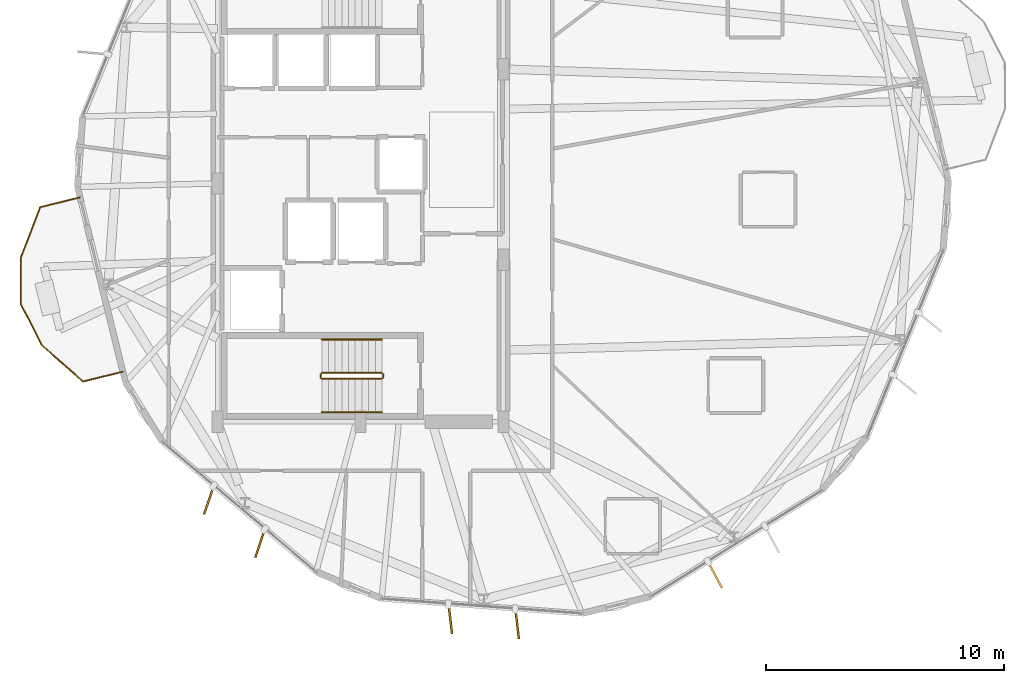
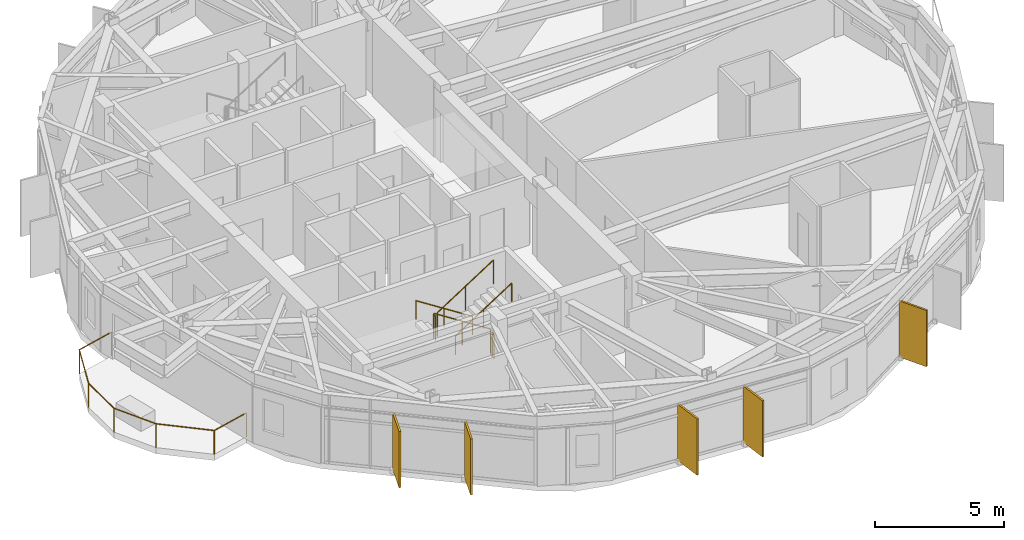
# One storey, part 18 of 21: 7 railings, 5 shading devices.
"""IFC4 building model written with IfcOpenShell, lengths in metres."""

import ifcopenshell
import ifcopenshell.guid

model = None  # the IFC model being written
_history = None  # IfcOwnerHistory: only IFC2X3 demands one
_inside = {}  # id of a spatial element -> (the spatial element, [elements in it])
_under = {}  # id of a project, library or spatial element -> (it, [spatial elements below it])
_declared = {}  # id of a project -> (the project, [libraries it declares])
_typed = {}  # id of a type object -> (the type object, [elements of that type])
_made_of = {}  # id of a material, layer set ... -> (it, [elements and type objects made of it])


def new_model(schema):
    """Start an empty IFC model of exactly this schema.

    Asked for "IFC4X3", IfcOpenShell would pick the latest addendum, in which some entities
    have other attributes; the version numbers below select the first issue.
    IFC2X3 requires an IfcOwnerHistory on every rooted entity: one is made here for all.
    """
    global model, _history
    if schema == "IFC4X3":
        model = ifcopenshell.file(schema_version=(4, 3, 0, 0))
    else:
        model = ifcopenshell.file(schema=schema)
    _inside.clear()
    _under.clear()
    _declared.clear()
    _typed.clear()
    _made_of.clear()
    _history = None
    if model.schema == "IFC2X3":
        org = make("IfcOrganization", Name="unknown")
        user = make(
            "IfcPersonAndOrganization",
            ThePerson=make("IfcPerson", FamilyName="unknown"),
            TheOrganization=org,
        )
        app = make(
            "IfcApplication",
            ApplicationDeveloper=org,
            Version="unknown",
            ApplicationFullName="unknown",
            ApplicationIdentifier="unknown",
        )
        _history = make(
            "IfcOwnerHistory",
            OwningUser=user,
            OwningApplication=app,
            ChangeAction="ADDED",
            CreationDate=0,
        )
    return model


def make(cls, **values):
    """One entity of the class cls with the attributes given. An attribute that is None is left unset."""
    return model.create_entity(
        cls, **{name: value for name, value in values.items() if value is not None}
    )


def rooted(cls, **values):
    """An entity with a GlobalId (a new one), such as an element, a storey or a relation."""
    return make(cls, GlobalId=ifcopenshell.guid.new(), OwnerHistory=_history, **values)


def si_unit(unit_type, name, prefix=None):
    """IfcSIUnit, for example si_unit("LENGTHUNIT", "METRE", prefix="MILLI")."""
    return make("IfcSIUnit", UnitType=unit_type, Prefix=prefix, Name=name)


def assignment(units):
    """IfcUnitAssignment: the units of a project."""
    return None if units is None else make("IfcUnitAssignment", Units=units)


def point(xyz):
    """IfcCartesianPoint."""
    return None if xyz is None else make("IfcCartesianPoint", Coordinates=xyz)


def direction(xyz):
    """IfcDirection."""
    return None if xyz is None else make("IfcDirection", DirectionRatios=xyz)


def frame(location, z_axis=None, x_axis=None):
    """IfcAxis2Placement3D, a coordinate frame: its origin and axes. An axis left out is left unset."""
    return make(
        "IfcAxis2Placement3D",
        Location=point(location),
        Axis=direction(z_axis),
        RefDirection=direction(x_axis),
    )


def frame_2d(location, x_axis=None):
    """IfcAxis2Placement2D, a coordinate frame in the plane: its origin and x axis."""
    return make(
        "IfcAxis2Placement2D", Location=point(location), RefDirection=direction(x_axis)
    )


def origin():
    """The frame at (0, 0, 0) with its axes left unset."""
    return frame((0.0, 0.0, 0.0))


def origin_2d():
    """The frame at (0, 0) in the plane with its x axis left unset."""
    return frame_2d((0.0, 0.0))


def place(relative_to, where):
    """IfcLocalPlacement: puts the frame where relative to a parent placement (None: the world)."""
    return make(
        "IfcLocalPlacement", PlacementRelTo=relative_to, RelativePlacement=where
    )


def context(
    kind, dimensions, precision=None, world=None, true_north=None, identifier=None
):
    """IfcGeometricRepresentationContext, for example the 3D "Model" context."""
    return make(
        "IfcGeometricRepresentationContext",
        ContextIdentifier=identifier,
        ContextType=kind,
        CoordinateSpaceDimension=dimensions,
        Precision=precision,
        WorldCoordinateSystem=world,
        TrueNorth=true_north,
    )


def subcontext(parent, identifier, kind, view, scale=None):
    """IfcGeometricRepresentationSubContext, for example "Body" below "Model"."""
    return make(
        "IfcGeometricRepresentationSubContext",
        ContextIdentifier=identifier,
        ContextType=kind,
        ParentContext=parent,
        TargetScale=scale,
        TargetView=view,
    )


def project(units=None, contexts=None):
    """IfcProject with its units and contexts."""
    return rooted(
        "IfcProject",
        Name="project",
        RepresentationContexts=contexts,
        UnitsInContext=assignment(units),
    )


def spatial(cls, under=None, at=None, **own):
    """A site, building, storey or space (cls), placed at a placement, below another one or the project."""
    s = rooted(cls, ObjectPlacement=at, **own)
    if under is not None:
        _under.setdefault(under.id(), (under, []))[1].append(s)
    return s


def profile(cls, at=None, kind="AREA", **sizes):
    """A parametric profile (cls). Its sizes go by their IFC names, for example OverallWidth=200.0."""
    return make(cls, ProfileType=kind, Position=at, **sizes)


def rectangle(**sizes):
    """IfcRectangleProfileDef."""
    return profile("IfcRectangleProfileDef", **sizes)


def circle(**sizes):
    """IfcCircleProfileDef."""
    return profile("IfcCircleProfileDef", **sizes)


def extrude(swept, where, along, depth):
    """IfcExtrudedAreaSolid: the profile swept, set in the frame where, extruded along a direction by depth."""
    return make(
        "IfcExtrudedAreaSolid",
        SweptArea=swept,
        Position=where,
        ExtrudedDirection=direction(along),
        Depth=depth,
    )


def shape(context_of_items, identifier, shape_type, items):
    """IfcShapeRepresentation: the items that make up one representation, for example the "Body"."""
    return make(
        "IfcShapeRepresentation",
        ContextOfItems=context_of_items,
        RepresentationIdentifier=identifier,
        RepresentationType=shape_type,
        Items=items,
    )


def material(Name=None, Category=None):
    """IfcMaterial."""
    return make("IfcMaterial", Name=Name, Category=Category)


def layer(
    of_material, thickness, ventilated=None, Name=None, Category=None, Priority=None
):
    """IfcMaterialLayer: one layer of a wall or slab, of a material (None: an air gap)."""
    return make(
        "IfcMaterialLayer",
        Material=of_material,
        LayerThickness=thickness,
        IsVentilated=ventilated,
        Name=Name,
        Category=Category,
        Priority=Priority,
    )


def layer_set(layers, Name=None):
    """IfcMaterialLayerSet."""
    return make("IfcMaterialLayerSet", MaterialLayers=layers, LayerSetName=Name)


def made_of(thing, what):
    """Note that an element or type object is made of a material, layer set ...; save() writes the relation."""
    if what is not None:
        _made_of.setdefault(what.id(), (what, []))[1].append(thing)
    return thing


def type_object(cls, material=None, **own):
    """A type object (cls), such as IfcWallType, which elements share."""
    return made_of(rooted(cls, **own), material)


def element(
    cls,
    number,
    at=None,
    inside=None,
    cuts=None,
    type_object=None,
    material=None,
    context=None,
    identifier="Body",
    shape_type=None,
    held_by="IfcProductDefinitionShape",
    body=None,
    shapes=None,
    **own,
):
    """One element of the class cls, such as IfcWall. Its Tag is "e" and its number.

    at: its placement. inside: the storey or other place that contains it. cuts: it is an
    opening in that element (IfcRelVoidsElement). A single representation is given by context,
    identifier, shape_type and body (its items); several are given by shapes. held_by: the class
    of the entity that holds the representations. save() writes the other relations.
    """
    e = rooted(cls, Tag="e%d" % number, ObjectPlacement=at, **own)
    if body is not None:
        shapes = [shape(context, identifier, shape_type, body)]
    if shapes is not None:
        e.Representation = make(held_by, Representations=shapes)
    if inside is not None:
        _inside.setdefault(inside.id(), (inside, []))[1].append(e)
    if cuts is not None:
        rooted(
            "IfcRelVoidsElement", RelatingBuildingElement=cuts, RelatedOpeningElement=e
        )
    if type_object is not None:
        _typed.setdefault(type_object.id(), (type_object, []))[1].append(e)
    return made_of(e, material)


def aggregate(whole, parts):
    """IfcRelAggregates: a whole, such as a stair, and the parts it consists of."""
    return rooted("IfcRelAggregates", RelatingObject=whole, RelatedObjects=parts)


def save(model, path):
    """Write the relations noted so far, then the file.

    IfcRelAggregates (storeys below a building ...), IfcRelContainedInSpatialStructure (elements
    in a storey), IfcRelDefinesByType, IfcRelAssociatesMaterial and IfcRelDeclares: one each for
    every whole, place, type object, material and project.
    """
    for whole, parts in _under.values():
        aggregate(whole, parts)
    for where, things in _inside.values():
        rooted(
            "IfcRelContainedInSpatialStructure",
            RelatedElements=things,
            RelatingStructure=where,
        )
    for kind, things in _typed.values():
        rooted("IfcRelDefinesByType", RelatedObjects=things, RelatingType=kind)
    for what, things in _made_of.values():
        rooted("IfcRelAssociatesMaterial", RelatedObjects=things, RelatingMaterial=what)
    for by, libraries in _declared.values():
        rooted("IfcRelDeclares", RelatingContext=by, RelatedDefinitions=libraries)
    model.write(path)


model = new_model("IFC4")

# Units and contexts
model_context = context("Model", 3, precision=1e-05, world=origin(), true_north=direction((0.0, 1.0)))
body_context = subcontext(model_context, "Body", "Model", "MODEL_VIEW")
ifc_project = project(units=[si_unit("LENGTHUNIT", "METRE"), si_unit("AREAUNIT", "SQUARE_METRE"), si_unit("VOLUMEUNIT", "CUBIC_METRE"), si_unit("PLANEANGLEUNIT", "RADIAN"), si_unit("MASSUNIT", "GRAM", prefix="KILO")], contexts=[model_context])

# Site, building, storey
site_placement = place(None, origin())
site = spatial("IfcSite", under=ifc_project, at=site_placement, CompositionType="ELEMENT")
building_placement = place(site_placement, origin())
building = spatial("IfcBuilding", under=site, at=building_placement, Name="Soratama Intermodal Tower", CompositionType="ELEMENT")
storey_placement = place(building_placement, frame((0.0, 0.0, 153.39990234375)))
storey = spatial("IfcBuildingStorey", under=building, at=storey_placement, Name="L37", CompositionType="ELEMENT", Elevation=153.39990234375)

# Railings
ifc_material_1 = material(Name="Laminated glass and stainless steel balustrade", Category="steel")
railing_type_1 = type_object("IfcRailingType", Name="RL-BAL-1150", PredefinedType="BALUSTRADE", material=ifc_material_1)
railing_1_placement = place(storey_placement, frame((28.62451171875, 17.095458984375, 0.0)))
element("IfcRailing", 1, at=railing_1_placement, inside=storey, type_object=railing_type_1, Name="L37 Balcony Balustrade 3", PredefinedType="BALUSTRADE", context=body_context, shape_type="SweptSolid", body=[
    extrude(circle(Radius=0.02392578125, at=origin_2d()), frame((0.0, 0.0, 1.1259765625), z_axis=(-0.971152571108, -0.238458976829, 0.0), x_axis=(0.238458976829, -0.971152571108, 0.0)), (0.0, 0.0, 1.0), 1.719970703125),
    extrude(circle(Radius=0.02392578125, at=origin_2d()), frame((-1.67041015625, -0.41015625, 1.1259765625), z_axis=(-0.75035271629, 0.661037669998, 0.0), x_axis=(-0.661037669998, -0.75035271629, 0.0)), (0.0, 0.0, 1.0), 2.296142578125),
    extrude(circle(Radius=0.02392578125, at=origin_2d()), frame((-3.393310546875, 1.107666015625, 1.1259765625), z_axis=(-0.457063329661, 0.889434153088, 0.0), x_axis=(-0.889434153088, -0.457063329661, 0.0)), (0.0, 0.0, 1.0), 1.93798828125),
    extrude(circle(Radius=0.02392578125, at=origin_2d()), frame((-4.279052734375, 2.831298828125, 1.1259765625), z_axis=(-0.007055386945, 0.999975110448, 0.0), x_axis=(-0.999975110448, -0.007055386945, 0.0)), (0.0, 0.0, 1.0), 1.937744140625),
    extrude(circle(Radius=0.02392578125, at=origin_2d()), frame((-4.292724609375, 4.76904296875, 1.1259765625), z_axis=(0.3586512975, 0.933471610067, 0.0), x_axis=(-0.933471610067, 0.3586512975, 0.0)), (0.0, 0.0, 1.0), 2.296142578125),
    extrude(circle(Radius=0.02392578125, at=origin_2d()), frame((-3.46923828125, 6.912353515625, 1.1259765625), z_axis=(0.971119692554, 0.238592838817, 0.0), x_axis=(-0.238592838817, 0.971119692554, 0.0)), (0.0, 0.0, 1.0), 1.719970703125),
    extrude(circle(Radius=0.02099609375, at=origin_2d()), origin(), (0.0, 0.0, 1.0), 1.101806640625),
    extrude(circle(Radius=0.02099609375, at=origin_2d()), frame((-1.67041015625, -0.41015625, 0.0)), (0.0, 0.0, 1.0), 1.101806640625),
    extrude(circle(Radius=0.02099609375, at=origin_2d()), frame((-3.393310546875, 1.107666015625, 0.0)), (0.0, 0.0, 1.0), 1.101806640625),
    extrude(circle(Radius=0.02099609375, at=origin_2d()), frame((-4.279052734375, 2.831298828125, 0.0)), (0.0, 0.0, 1.0), 1.101806640625),
    extrude(circle(Radius=0.02099609375, at=origin_2d()), frame((-4.292724609375, 4.76904296875, 0.0)), (0.0, 0.0, 1.0), 1.101806640625),
    extrude(circle(Radius=0.02099609375, at=origin_2d()), frame((-3.46923828125, 6.912353515625, 0.0)), (0.0, 0.0, 1.0), 1.101806640625),
    extrude(circle(Radius=0.02099609375, at=origin_2d()), frame((-1.798828125, 7.32275390625, 0.0)), (0.0, 0.0, 1.0), 1.101806640625),
])
ifc_material_2 = material(Name="Painted steel stair guardrail", Category="steel")
railing_type_2 = type_object("IfcRailingType", Name="RL-STAIR-GUARD", PredefinedType="GUARDRAIL", material=ifc_material_2)
railing_2_placement = place(storey_placement, frame((39.5, 17.050048828125, 0.18017578125)))
element("IfcRailing", 2, at=railing_2_placement, inside=storey, type_object=railing_type_2, Name="L37 ST-1 stair guard 1", PredefinedType="GUARDRAIL", context=body_context, shape_type="SweptSolid", body=[
    extrude(circle(Radius=0.02392578125, at=origin_2d()), frame((0.0, 0.0, 1.1259765625), z_axis=(-0.841199657755, 0.0, 0.540724639528), x_axis=(0.0, -1.0, 0.0)), (0.0, 0.0, 1.0), 2.995849609375),
    extrude(circle(Radius=0.02099609375, at=origin_2d()), origin(), (0.0, 0.0, 1.0), 1.101806640625),
    extrude(circle(Radius=0.02099609375, at=origin_2d()), frame((-1.260009765625, 0.0, 0.81005859375)), (0.0, 0.0, 1.0), 1.101806640625),
    extrude(circle(Radius=0.02099609375, at=origin_2d()), frame((-2.52001953125, 0.0, 1.619873046875)), (0.0, 0.0, 1.0), 1.101806640625),
])
railing_3_placement = place(storey_placement, frame((36.929931640625, 17.0, 1.800048828125)))
element("IfcRailing", 3, at=railing_3_placement, inside=storey, type_object=railing_type_2, Name="L37 ST-1 stair guard 2", PredefinedType="GUARDRAIL", context=body_context, shape_type="SweptSolid", body=[
    extrude(circle(Radius=0.02392578125, at=origin_2d()), frame((0.0, 0.0, 1.1259765625), z_axis=(0.0, -1.0, 0.0), x_axis=(1.0, 0.0, 0.0)), (0.0, 0.0, 1.0), 0.14990234375),
    extrude(circle(Radius=0.02099609375, at=origin_2d()), origin(), (0.0, 0.0, 1.0), 1.101806640625),
    extrude(circle(Radius=0.02099609375, at=origin_2d()), frame((0.0, -0.14990234375, 0.0)), (0.0, 0.0, 1.0), 1.101806640625),
])
railing_4_placement = place(storey_placement, frame((36.97998046875, 16.800048828125, 1.97998046875)))
element("IfcRailing", 4, at=railing_4_placement, inside=storey, type_object=railing_type_2, Name="L37 ST-1 stair guard 3", PredefinedType="GUARDRAIL", context=body_context, shape_type="SweptSolid", body=[
    extrude(circle(Radius=0.02392578125, at=origin_2d()), frame((0.0, 0.0, 1.1259765625), z_axis=(0.841162588446, 0.0, 0.540782303519), x_axis=(0.0, 1.0, 0.0)), (0.0, 0.0, 1.0), 2.995849609375),
    extrude(circle(Radius=0.02099609375, at=origin_2d()), origin(), (0.0, 0.0, 1.0), 1.101806640625),
    extrude(circle(Radius=0.02099609375, at=origin_2d()), frame((1.260009765625, 0.0, 0.81005859375)), (0.0, 0.0, 1.0), 1.101806640625),
    extrude(circle(Radius=0.02099609375, at=origin_2d()), frame((2.52001953125, 0.0, 1.6201171875)), (0.0, 0.0, 1.0), 1.101806640625),
])
railing_5_placement = place(storey_placement, frame((39.550048828125, 17.0, 0.0)))
element("IfcRailing", 5, at=railing_5_placement, inside=storey, type_object=railing_type_2, Name="L37 ST-1 stair guard 4", PredefinedType="GUARDRAIL", context=body_context, shape_type="SweptSolid", body=[
    extrude(circle(Radius=0.02392578125, at=origin_2d()), frame((0.0, 0.0, 1.1259765625), z_axis=(0.0, -1.0, 0.0), x_axis=(1.0, 0.0, 0.0)), (0.0, 0.0, 1.0), 0.14990234375),
    extrude(circle(Radius=0.02099609375, at=origin_2d()), origin(), (0.0, 0.0, 1.0), 1.101806640625),
    extrude(circle(Radius=0.02099609375, at=origin_2d()), frame((0.0, -0.14990234375, 0.0)), (0.0, 0.0, 1.0), 1.101806640625),
])
ifc_material_3 = material(Name="Brushed stainless steel handrail", Category="steel")
railing_type_3 = type_object("IfcRailingType", Name="RL-STAIR-HAND", PredefinedType="HANDRAIL", material=ifc_material_3)
railing_6_placement = place(storey_placement, frame((39.5, 18.449951171875, 0.18017578125)))
element("IfcRailing", 6, at=railing_6_placement, inside=storey, type_object=railing_type_3, Name="L37 ST-1 stair handrail 1", PredefinedType="HANDRAIL", context=body_context, shape_type="SweptSolid", body=[
    extrude(circle(Radius=0.02392578125, at=origin_2d()), frame((0.0, 0.0, 0.8759765625), z_axis=(-0.841199657755, 0.0, 0.540724639528), x_axis=(0.0, -1.0, 0.0)), (0.0, 0.0, 1.0), 2.995849609375),
    extrude(circle(Radius=0.02099609375, at=origin_2d()), origin(), (0.0, 0.0, 1.0), 0.851806640625),
    extrude(circle(Radius=0.02099609375, at=origin_2d()), frame((-1.260009765625, 0.0, 0.81005859375)), (0.0, 0.0, 1.0), 0.851806640625),
    extrude(circle(Radius=0.02099609375, at=origin_2d()), frame((-2.52001953125, 0.0, 1.619873046875)), (0.0, 0.0, 1.0), 0.851806640625),
])
railing_7_placement = place(storey_placement, frame((36.97998046875, 15.39990234375, 1.97998046875)))
element("IfcRailing", 7, at=railing_7_placement, inside=storey, type_object=railing_type_3, Name="L37 ST-1 stair handrail 2", PredefinedType="HANDRAIL", context=body_context, shape_type="SweptSolid", body=[
    extrude(circle(Radius=0.02392578125, at=origin_2d()), frame((0.0, 0.0, 0.8759765625), z_axis=(0.841162588446, 0.0, 0.540782303519), x_axis=(0.0, 1.0, 0.0)), (0.0, 0.0, 1.0), 2.995849609375),
    extrude(circle(Radius=0.02099609375, at=origin_2d()), origin(), (0.0, 0.0, 1.0), 0.851806640625),
    extrude(circle(Radius=0.02099609375, at=origin_2d()), frame((1.260009765625, 0.0, 0.81005859375)), (0.0, 0.0, 1.0), 0.851806640625),
    extrude(circle(Radius=0.02099609375, at=origin_2d()), frame((2.52001953125, 0.0, 1.6201171875)), (0.0, 0.0, 1.0), 0.851806640625),
])

# Shading devices
ifc_material_4 = material(Name="Champagne anodised aluminium solar fin", Category="aluminium")
ifc_layer = layer(ifc_material_4, 0.080078125)
ifc_layer_set = layer_set([ifc_layer], Name="Champagne anodised aluminium solar fin")
shading_device_type = type_object("IfcShadingDeviceType", Name="SH-FIN-1250", PredefinedType="USERDEFINED", material=ifc_layer_set)
for number, where, z_axis, x_axis, name in (
    (8, (32.23583984375, 11.710693359375, 0.02001953125), (0.0, 0.0, 1.0), (-0.322596118519, -0.946536710496, 0.0), "L37 Solar Fin F06-1"),
    (9, (34.384765625, 9.894775390625, 0.02001953125), (0.0, 0.0, 1.0), (-0.322596118519, -0.946536710496, 0.0), "L37 Solar Fin F06-2"),
    (10, (42.369384765625, 6.7216796875, 0.02001953125), (0.0, 0.0, 1.0), (0.116670737099, -0.993170649538, 0.0), "L37 Solar Fin F07-1"),
    (11, (45.17529296875, 6.515625, 0.02001953125), (0.0, 0.0, 1.0), (0.116670737099, -0.993170649538, 0.0), "L37 Solar Fin F07-2"),
    (12, (53.4814453125, 8.5712890625, 0.02001953125), (0.0, 0.0, 1.0), (0.470241901057, -0.882537565484, 0.0), "L37 Solar Fin F08-1"),
):
    element("IfcShadingDevice", number, at=place(storey_placement, frame(where, z_axis=z_axis, x_axis=x_axis)), inside=storey, type_object=shading_device_type, Name=name, ObjectType="FIN", PredefinedType="USERDEFINED", context=body_context, shape_type="SweptSolid", body=[
        extrude(rectangle(XDim=1.25, YDim=0.080078125, at=origin_2d()), origin(), (0.0, 0.0, 1.0), 2.658935546875),
    ])

save(model, "model.ifc")
